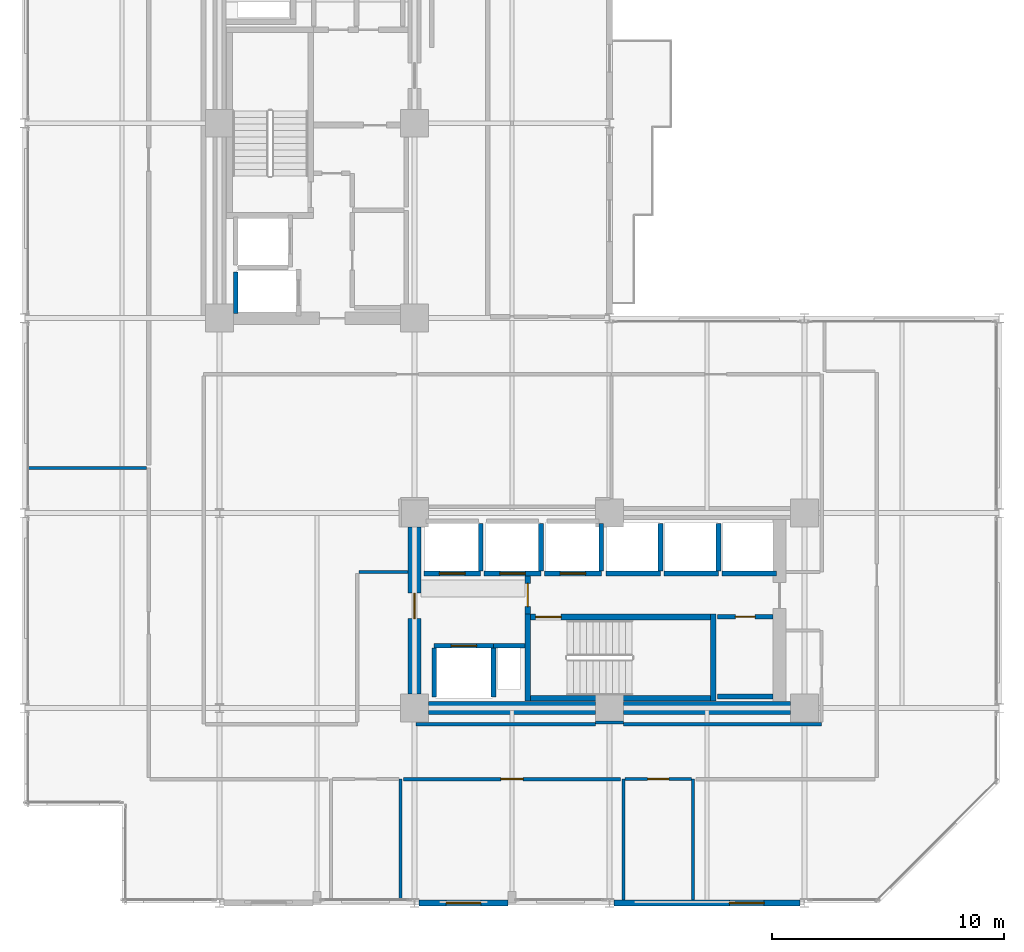
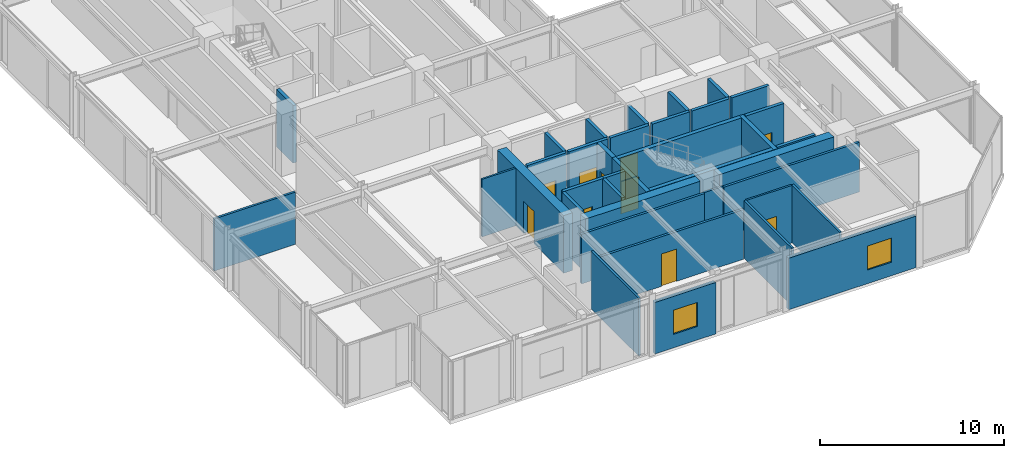
# One storey, part 24 of 29: 38 walls, 10 doors, 2 windows, 12 openings.
"""IFC4 building model written with IfcOpenShell, lengths in metres."""

from ifc_helpers import new_model, si_unit, direction, frame, frame_2d, origin, place, context, subcontext, project, spatial, rectangle, extrude, material, layer, layer_set, type_object, element, fill, save


model = new_model("IFC4")

# Units and contexts
model_context = context("Model", 3, precision=1e-05, world=origin(), true_north=direction((0.0, 1.0)))
body_context = subcontext(model_context, "Body", "Model", "MODEL_VIEW")
ifc_project = project(units=[si_unit("LENGTHUNIT", "METRE"), si_unit("AREAUNIT", "SQUARE_METRE"), si_unit("VOLUMEUNIT", "CUBIC_METRE"), si_unit("PLANEANGLEUNIT", "RADIAN"), si_unit("MASSUNIT", "GRAM", prefix="KILO")], contexts=[model_context])

# Site, building, storey
site_placement = place(None, origin())
site = spatial("IfcSite", under=ifc_project, at=site_placement, CompositionType="ELEMENT")
building_placement = place(site_placement, origin())
building = spatial("IfcBuilding", under=site, at=building_placement, Name="Nerrivon Quay Data Exchange", CompositionType="ELEMENT")
storey_placement = place(building_placement, frame((0.0, 0.0, 125.39990234375)))
storey = spatial("IfcBuildingStorey", under=building, at=storey_placement, Name="L29", CompositionType="ELEMENT", Elevation=125.39990234375)

# Wall, opening, window
ifc_material_1 = material(Name="Architectural terracotta precast concrete N50 (50 MPa)", Category="masonry")
ifc_layer_1 = layer(ifc_material_1, 0.239990234375)
ifc_layer_set_1 = layer_set([ifc_layer_1], Name="Architectural terracotta precast concrete N50 (50 MPa)")
wall_type_1 = type_object("IfcWallType", Name="EW-PREC-240", PredefinedType="STANDARD", material=ifc_layer_set_1)
wall_1_placement = place(storey_placement, frame((33.39990234375, 0.0, 0.0), z_axis=(0.0, 0.0, 1.0), x_axis=(-1.0, 0.0, 0.0)))
wall_1 = element("IfcWall", 1, at=wall_1_placement, inside=storey, type_object=wall_type_1, Name="L29 Podium Precast Spandrel Wall 3", PredefinedType="STANDARD", context=body_context, shape_type="SweptSolid", body=[
    extrude(rectangle(XDim=8.0, YDim=0.239990234375, at=frame_2d((4.0, 0.0))), origin(), (0.0, 0.0, 1.0), 3.422119140625),
])
opening_1_placement = place(wall_1_placement, frame((1.534912109375, 0.0, 0.89990234375)))
opening_1 = element("IfcOpeningElement", 2, at=opening_1_placement, cuts=wall_1, Name="Opening WN4", PredefinedType="OPENING", context=body_context, shape_type="SweptSolid", body=[
    extrude(rectangle(XDim=1.5, YDim=1.60009765625, at=frame_2d((0.75, 0.800048828125))), frame((0.0, 0.1298828125, 0.0), z_axis=(0.0, -1.0, 0.0), x_axis=(1.0, 0.0, 0.0)), (0.0, 0.0, 1.0), 0.260009765625),
])
ifc_material_2 = material(Name="Double-glazed low-E solar control glass", Category="glass")
window_type = type_object("IfcWindowType", Name="WIN-W4-1500x1600", PartitioningType="SINGLE_PANEL", PredefinedType="WINDOW", material=ifc_material_2)
window_1_placement = place(opening_1_placement, origin())
window_1 = element("IfcWindow", 3, at=window_1_placement, inside=storey, type_object=window_type, Name="L29 Solar Facade Window 3", OverallHeight=1.60009765625, OverallWidth=1.5, PartitioningType="SINGLE_PANEL", PredefinedType="WINDOW", context=body_context, shape_type="SweptSolid", body=[
    extrude(rectangle(XDim=1.5, YDim=1.60009765625, at=frame_2d((0.75, 0.800048828125))), frame((0.0, 0.030029296875, 0.0), z_axis=(0.0, -1.0, 0.0), x_axis=(1.0, 0.0, 0.0)), (0.0, 0.0, 1.0), 0.06005859375),
])
fill(opening_1, window_1)

wall_2_placement = place(storey_placement, frame((20.824951171875, 0.0, 0.0), z_axis=(0.0, 0.0, 1.0), x_axis=(-1.0, 0.0, 0.0)))
wall_2 = element("IfcWall", 4, at=wall_2_placement, inside=storey, type_object=wall_type_1, Name="L29 Podium Precast Spandrel Wall 5", PredefinedType="STANDARD", context=body_context, shape_type="SweptSolid", body=[
    extrude(rectangle(XDim=3.824951171875, YDim=0.239990234375, at=frame_2d((1.91259765625, 0.0))), origin(), (0.0, 0.0, 1.0), 3.422119140625),
])
opening_2_placement = place(wall_2_placement, frame((1.16259765625, 0.0, 0.89990234375)))
opening_2 = element("IfcOpeningElement", 5, at=opening_2_placement, cuts=wall_2, Name="Opening WN4", PredefinedType="OPENING", context=body_context, shape_type="SweptSolid", body=[
    extrude(rectangle(XDim=1.5, YDim=1.60009765625, at=frame_2d((0.75, 0.800048828125))), frame((0.0, 0.1298828125, 0.0), z_axis=(0.0, -1.0, 0.0), x_axis=(1.0, 0.0, 0.0)), (0.0, 0.0, 1.0), 0.260009765625),
])
window_2_placement = place(opening_2_placement, origin())
window_2 = element("IfcWindow", 6, at=window_2_placement, inside=storey, type_object=window_type, Name="L29 Solar Facade Window 5", OverallHeight=1.60009765625, OverallWidth=1.5, PartitioningType="SINGLE_PANEL", PredefinedType="WINDOW", context=body_context, shape_type="SweptSolid", body=[
    extrude(rectangle(XDim=1.5, YDim=1.60009765625, at=frame_2d((0.75, 0.800048828125))), frame((0.0, 0.030029296875, 0.0), z_axis=(0.0, -1.0, 0.0), x_axis=(1.0, 0.0, 0.0)), (0.0, 0.0, 1.0), 0.06005859375),
])
fill(opening_2, window_2)

# Walls
ifc_material_3 = material(Name="Concrete S65 (65 MPa)", Category="concrete")
ifc_layer_2 = layer(ifc_material_3, 0.550048828125)
ifc_layer_set_2 = layer_set([ifc_layer_2], Name="Concrete S65 (65 MPa)")
wall_type_2 = type_object("IfcWallType", Name="WALL-CW-700", PredefinedType="SHEAR", material=ifc_layer_set_2)
wall_3_placement = place(storey_placement, frame((17.39990234375, 8.39990234375, 0.0), z_axis=(0.0, 0.0, 1.0), x_axis=(1.0, 0.0, 0.0)))
element("IfcWall", 7, at=wall_3_placement, inside=storey, type_object=wall_type_2, Name="L29 East Split-Core Shear Wall ECW-S1", PredefinedType="SHEAR", context=body_context, shape_type="SweptSolid", body=[
    extrude(rectangle(XDim=7.2001953125, YDim=0.550048828125, at=frame_2d((3.60009765625, 0.0))), origin(), (0.0, 0.0, 1.0), 3.8251953125),
])
wall_4_placement = place(storey_placement, frame((25.800048828125, 8.39990234375, 0.0), z_axis=(0.0, 0.0, 1.0), x_axis=(1.0, 0.0, 0.0)))
element("IfcWall", 8, at=wall_4_placement, inside=storey, type_object=wall_type_2, Name="L29 East Split-Core Shear Wall ECW-S2", PredefinedType="SHEAR", context=body_context, shape_type="SweptSolid", body=[
    extrude(rectangle(XDim=7.199951171875, YDim=0.550048828125, at=frame_2d((3.60009765625, 0.0))), origin(), (0.0, 0.0, 1.0), 3.8251953125),
])

# Wall, opening, door
wall_5_placement = place(storey_placement, frame((16.800048828125, 9.0, 0.0), z_axis=(0.0, 0.0, 1.0), x_axis=(0.0, 1.0, 0.0)))
wall_5 = element("IfcWall", 9, at=wall_5_placement, inside=storey, type_object=wall_type_2, Name="L29 East Split-Core Shear Wall ECW-W1", PredefinedType="SHEAR", context=body_context, shape_type="SweptSolid", body=[
    extrude(rectangle(XDim=7.199951171875, YDim=0.550048828125, at=frame_2d((3.60009765625, 0.0))), origin(), (0.0, 0.0, 1.0), 3.8251953125),
])
opening_3_placement = place(wall_5_placement, frame((3.25, 0.0, 0.0)))
opening_3 = element("IfcOpeningElement", 10, at=opening_3_placement, cuts=wall_5, Name="Opening FD-120", PredefinedType="OPENING", context=body_context, shape_type="SweptSolid", body=[
    extrude(rectangle(XDim=1.10009765625, YDim=2.14990234375, at=frame_2d((0.550048828125, 1.074951171875))), frame((0.0, 0.284912109375, 0.0), z_axis=(0.0, -1.0, 0.0), x_axis=(1.0, 0.0, 0.0)), (0.0, 0.0, 1.0), 0.570068359375),
])
ifc_material_4 = material(Name="Powder-coated galvanized steel sheet", Category="steel")
door_type_1 = type_object("IfcDoorType", Name="DR-FD120-1100", OperationType="NOTDEFINED", PredefinedType="DOOR", material=ifc_material_4)
door_1_placement = place(opening_3_placement, origin())
door_1 = element("IfcDoor", 11, at=door_1_placement, inside=storey, type_object=door_type_1, Name="L29 East Core Lobby Fire Door", OperationType="SINGLE_SWING_LEFT", OverallHeight=2.14990234375, OverallWidth=1.10009765625, PredefinedType="DOOR", context=body_context, shape_type="SweptSolid", body=[
    extrude(rectangle(XDim=1.10009765625, YDim=2.14990234375, at=frame_2d((0.550048828125, 1.074951171875))), frame((0.0, 0.02490234375, 0.0), z_axis=(0.0, -1.0, 0.0), x_axis=(1.0, 0.0, 0.0)), (0.0, 0.0, 1.0), 0.050048828125),
])
fill(opening_3, door_1)

# Walls
ifc_material_5 = material(Name="Gypsum plasterboard on cold-formed framing", Category="gypsum")
ifc_layer_3 = layer(ifc_material_5, 0.199951171875)
ifc_layer_set_3 = layer_set([ifc_layer_3], Name="Gypsum plasterboard on cold-formed framing")
wall_type_3 = type_object("IfcWallType", Name="WALL-FW-200", PredefinedType="PARTITIONING", material=ifc_layer_set_3)
wall_6_placement = place(storey_placement, frame((20.199951171875, 11.080078125, 0.0), z_axis=(0.0, 0.0, 1.0), x_axis=(1.0, 0.0, 0.0)))
element("IfcWall", 12, at=wall_6_placement, inside=storey, type_object=wall_type_3, Name="L29 East Core MEP Riser Shaft Wall N", PredefinedType="PARTITIONING", context=body_context, shape_type="SweptSolid", body=[
    extrude(rectangle(XDim=1.35009765625, YDim=0.199951171875, at=frame_2d((0.675048828125, 0.0))), origin(), (0.0, 0.0, 1.0), 3.8251953125),
])
wall_7_placement = place(storey_placement, frame((9.10009765625, 25.39990234375, 0.0), z_axis=(0.0, 0.0, 1.0), x_axis=(0.0, 1.0, 0.0)))
element("IfcWall", 13, at=wall_7_placement, inside=storey, type_object=wall_type_3, Name="L29 Lift Shaft Wall SVL-1 WEST", PredefinedType="PARTITIONING", context=body_context, shape_type="SweptSolid", body=[
    extrude(rectangle(XDim=1.800048828125, YDim=0.199951171875, at=frame_2d((0.89990234375, 0.0))), origin(), (0.0, 0.0, 1.0), 3.8251953125),
])

# Wall, opening, door
wall_8_placement = place(storey_placement, frame((17.64990234375, 11.080078125, 0.0), z_axis=(0.0, 0.0, 1.0), x_axis=(1.0, 0.0, 0.0)))
wall_8 = element("IfcWall", 14, at=wall_8_placement, inside=storey, type_object=wall_type_3, Name="L29 Lift Front Wall FFL-2", PredefinedType="PARTITIONING", context=body_context, shape_type="SweptSolid", body=[
    extrude(rectangle(XDim=2.550048828125, YDim=0.199951171875, at=frame_2d((1.27490234375, 0.0))), origin(), (0.0, 0.0, 1.0), 3.8251953125),
])
opening_4_placement = place(wall_8_placement, frame((0.72509765625, 0.0, 0.0)))
opening_4 = element("IfcOpeningElement", 15, at=opening_4_placement, cuts=wall_8, Name="Opening LD-120", PredefinedType="OPENING", context=body_context, shape_type="SweptSolid", body=[
    extrude(rectangle(XDim=1.10009765625, YDim=2.199951171875, at=frame_2d((0.550048828125, 1.10009765625))), frame((0.0, 0.10986328125, 0.0), z_axis=(0.0, -1.0, 0.0), x_axis=(1.0, 0.0, 0.0)), (0.0, 0.0, 1.0), 0.219970703125),
])
door_type_2 = type_object("IfcDoorType", Name="DR-LIFT-LD120", OperationType="DOUBLE_DOOR_SLIDING", PredefinedType="DOOR", material=ifc_material_4)
door_2_placement = place(opening_4_placement, origin())
door_2 = element("IfcDoor", 16, at=door_2_placement, inside=storey, type_object=door_type_2, Name="L29 Lift Landing Sliding Door FFL-2", OperationType="DOUBLE_DOOR_SLIDING", OverallHeight=2.199951171875, OverallWidth=1.10009765625, PredefinedType="DOOR", context=body_context, shape_type="SweptSolid", body=[
    extrude(rectangle(XDim=1.10009765625, YDim=2.199951171875, at=frame_2d((0.550048828125, 1.10009765625))), frame((0.0, 0.02490234375, 0.0), z_axis=(0.0, -1.0, 0.0), x_axis=(1.0, 0.0, 0.0)), (0.0, 0.0, 1.0), 0.050048828125),
])
fill(opening_4, door_2)

# Walls
for number, where, z_axis, x_axis, name in (
    (17, (20.199951171875, 8.8798828125, 0.0), (0.0, 0.0, 1.0), (0.0, 1.0, 0.0), "L29 Lift Shaft Wall FFL-2 EAST"),
    (18, (17.64990234375, 8.8798828125, 0.0), (0.0, 0.0, 1.0), (0.0, 1.0, 0.0), "L29 Lift Shaft Wall FFL-2 WEST"),
):
    element("IfcWall", number, at=place(storey_placement, frame(where, z_axis=z_axis, x_axis=x_axis)), inside=storey, type_object=wall_type_3, Name=name, PredefinedType="PARTITIONING", context=body_context, shape_type="SweptSolid", body=[
        extrude(rectangle(XDim=2.10009765625, YDim=0.199951171875, at=frame_2d((1.050048828125, 0.0))), origin(), (0.0, 0.0, 1.0), 3.8251953125),
    ])

# Wall, opening, door
wall_9_placement = place(storey_placement, frame((17.199951171875, 14.199951171875, 0.0), z_axis=(0.0, 0.0, 1.0), x_axis=(1.0, 0.0, 0.0)))
wall_9 = element("IfcWall", 19, at=wall_9_placement, inside=storey, type_object=wall_type_3, Name="L29 Lift Front Wall PL4", PredefinedType="PARTITIONING", context=body_context, shape_type="SweptSolid", body=[
    extrude(rectangle(XDim=2.449951171875, YDim=0.199951171875, at=frame_2d((1.22509765625, 0.0))), origin(), (0.0, 0.0, 1.0), 3.8251953125),
])
opening_5_placement = place(wall_9_placement, frame((0.675048828125, 0.0, 0.0)))
opening_5 = element("IfcOpeningElement", 20, at=opening_5_placement, cuts=wall_9, Name="Opening LD-120", PredefinedType="OPENING", context=body_context, shape_type="SweptSolid", body=[
    extrude(rectangle(XDim=1.10009765625, YDim=2.199951171875, at=frame_2d((0.550048828125, 1.10009765625))), frame((0.0, 0.10986328125, 0.0), z_axis=(0.0, -1.0, 0.0), x_axis=(1.0, 0.0, 0.0)), (0.0, 0.0, 1.0), 0.219970703125),
])
door_3_placement = place(opening_5_placement, origin())
door_3 = element("IfcDoor", 21, at=door_3_placement, inside=storey, type_object=door_type_2, Name="L29 Lift Landing Sliding Door PL4", OperationType="DOUBLE_DOOR_SLIDING", OverallHeight=2.199951171875, OverallWidth=1.10009765625, PredefinedType="DOOR", context=body_context, shape_type="SweptSolid", body=[
    extrude(rectangle(XDim=1.10009765625, YDim=2.199951171875, at=frame_2d((0.550048828125, 1.10009765625))), frame((0.0, 0.02490234375, 0.0), z_axis=(0.0, -1.0, 0.0), x_axis=(1.0, 0.0, 0.0)), (0.0, 0.0, 1.0), 0.050048828125),
])
fill(opening_5, door_3)

# Wall
wall_10_placement = place(storey_placement, frame((19.64990234375, 14.300048828125, 0.0), z_axis=(0.0, 0.0, 1.0), x_axis=(0.0, 1.0, 0.0)))
element("IfcWall", 22, at=wall_10_placement, inside=storey, type_object=wall_type_3, Name="L29 Lift Shaft Wall PL4 EAST", PredefinedType="PARTITIONING", context=body_context, shape_type="SweptSolid", body=[
    extrude(rectangle(XDim=2.050048828125, YDim=0.199951171875, at=frame_2d((1.02490234375, 0.0))), origin(), (0.0, 0.0, 1.0), 3.8251953125),
])

# Wall, opening, door
wall_11_placement = place(storey_placement, frame((19.800048828125, 14.199951171875, 0.0), z_axis=(0.0, 0.0, 1.0), x_axis=(1.0, 0.0, 0.0)))
wall_11 = element("IfcWall", 23, at=wall_11_placement, inside=storey, type_object=wall_type_3, Name="L29 Lift Front Wall PL5", PredefinedType="PARTITIONING", context=body_context, shape_type="SweptSolid", body=[
    extrude(rectangle(XDim=2.449951171875, YDim=0.199951171875, at=frame_2d((1.22509765625, 0.0))), origin(), (0.0, 0.0, 1.0), 3.8251953125),
])
opening_6_placement = place(wall_11_placement, frame((0.675048828125, 0.0, 0.0)))
opening_6 = element("IfcOpeningElement", 24, at=opening_6_placement, cuts=wall_11, Name="Opening LD-120", PredefinedType="OPENING", context=body_context, shape_type="SweptSolid", body=[
    extrude(rectangle(XDim=1.10009765625, YDim=2.199951171875, at=frame_2d((0.550048828125, 1.10009765625))), frame((0.0, 0.10986328125, 0.0), z_axis=(0.0, -1.0, 0.0), x_axis=(1.0, 0.0, 0.0)), (0.0, 0.0, 1.0), 0.219970703125),
])
door_4_placement = place(opening_6_placement, origin())
door_4 = element("IfcDoor", 25, at=door_4_placement, inside=storey, type_object=door_type_2, Name="L29 Lift Landing Sliding Door PL5", OperationType="DOUBLE_DOOR_SLIDING", OverallHeight=2.199951171875, OverallWidth=1.10009765625, PredefinedType="DOOR", context=body_context, shape_type="SweptSolid", body=[
    extrude(rectangle(XDim=1.10009765625, YDim=2.199951171875, at=frame_2d((0.550048828125, 1.10009765625))), frame((0.0, 0.02490234375, 0.0), z_axis=(0.0, -1.0, 0.0), x_axis=(1.0, 0.0, 0.0)), (0.0, 0.0, 1.0), 0.050048828125),
])
fill(opening_6, door_4)

# Wall
wall_12_placement = place(storey_placement, frame((22.25, 14.300048828125, 0.0), z_axis=(0.0, 0.0, 1.0), x_axis=(0.0, 1.0, 0.0)))
element("IfcWall", 26, at=wall_12_placement, inside=storey, type_object=wall_type_3, Name="L29 Lift Shaft Wall PL5 EAST", PredefinedType="PARTITIONING", context=body_context, shape_type="SweptSolid", body=[
    extrude(rectangle(XDim=2.050048828125, YDim=0.199951171875, at=frame_2d((1.02490234375, 0.0))), origin(), (0.0, 0.0, 1.0), 3.8251953125),
])

# Wall, opening, door
wall_13_placement = place(storey_placement, frame((22.39990234375, 14.199951171875, 0.0), z_axis=(0.0, 0.0, 1.0), x_axis=(1.0, 0.0, 0.0)))
wall_13 = element("IfcWall", 27, at=wall_13_placement, inside=storey, type_object=wall_type_3, Name="L29 Lift Front Wall PL6", PredefinedType="PARTITIONING", context=body_context, shape_type="SweptSolid", body=[
    extrude(rectangle(XDim=2.4501953125, YDim=0.199951171875, at=frame_2d((1.22509765625, 0.0))), origin(), (0.0, 0.0, 1.0), 3.8251953125),
])
opening_7_placement = place(wall_13_placement, frame((0.675048828125, 0.0, 0.0)))
opening_7 = element("IfcOpeningElement", 28, at=opening_7_placement, cuts=wall_13, Name="Opening LD-120", PredefinedType="OPENING", context=body_context, shape_type="SweptSolid", body=[
    extrude(rectangle(XDim=1.10009765625, YDim=2.199951171875, at=frame_2d((0.550048828125, 1.10009765625))), frame((0.0, 0.10986328125, 0.0), z_axis=(0.0, -1.0, 0.0), x_axis=(1.0, 0.0, 0.0)), (0.0, 0.0, 1.0), 0.219970703125),
])
door_5_placement = place(opening_7_placement, origin())
door_5 = element("IfcDoor", 29, at=door_5_placement, inside=storey, type_object=door_type_2, Name="L29 Lift Landing Sliding Door PL6", OperationType="DOUBLE_DOOR_SLIDING", OverallHeight=2.199951171875, OverallWidth=1.10009765625, PredefinedType="DOOR", context=body_context, shape_type="SweptSolid", body=[
    extrude(rectangle(XDim=1.10009765625, YDim=2.199951171875, at=frame_2d((0.550048828125, 1.10009765625))), frame((0.0, 0.02490234375, 0.0), z_axis=(0.0, -1.0, 0.0), x_axis=(1.0, 0.0, 0.0)), (0.0, 0.0, 1.0), 0.050048828125),
])
fill(opening_7, door_5)

# Walls
wall_14_placement = place(storey_placement, frame((24.85009765625, 14.300048828125, 0.0), z_axis=(0.0, 0.0, 1.0), x_axis=(0.0, 1.0, 0.0)))
element("IfcWall", 30, at=wall_14_placement, inside=storey, type_object=wall_type_3, Name="L29 Lift Shaft Wall PL6 EAST", PredefinedType="PARTITIONING", context=body_context, shape_type="SweptSolid", body=[
    extrude(rectangle(XDim=2.050048828125, YDim=0.199951171875, at=frame_2d((1.02490234375, 0.0))), origin(), (0.0, 0.0, 1.0), 3.8251953125),
])
wall_15_placement = place(storey_placement, frame((25.050048828125, 14.199951171875, 0.0), z_axis=(0.0, 0.0, 1.0), x_axis=(1.0, 0.0, 0.0)))
element("IfcWall", 31, at=wall_15_placement, inside=storey, type_object=wall_type_3, Name="L29 Lift Front Wall PL7", PredefinedType="PARTITIONING", context=body_context, shape_type="SweptSolid", body=[
    extrude(rectangle(XDim=2.349853515625, YDim=0.199951171875, at=frame_2d((1.1748046875, 0.0))), origin(), (0.0, 0.0, 1.0), 3.8251953125),
])
wall_16_placement = place(storey_placement, frame((27.39990234375, 14.300048828125, 0.0), z_axis=(0.0, 0.0, 1.0), x_axis=(0.0, 1.0, 0.0)))
element("IfcWall", 32, at=wall_16_placement, inside=storey, type_object=wall_type_3, Name="L29 Lift Shaft Wall PL7 EAST", PredefinedType="PARTITIONING", context=body_context, shape_type="SweptSolid", body=[
    extrude(rectangle(XDim=2.050048828125, YDim=0.199951171875, at=frame_2d((1.02490234375, 0.0))), origin(), (0.0, 0.0, 1.0), 3.8251953125),
])
wall_17_placement = place(storey_placement, frame((27.550048828125, 14.199951171875, 0.0), z_axis=(0.0, 0.0, 1.0), x_axis=(1.0, 0.0, 0.0)))
element("IfcWall", 33, at=wall_17_placement, inside=storey, type_object=wall_type_3, Name="L29 Lift Front Wall PL8", PredefinedType="PARTITIONING", context=body_context, shape_type="SweptSolid", body=[
    extrude(rectangle(XDim=2.349853515625, YDim=0.199951171875, at=frame_2d((1.1748046875, 0.0))), origin(), (0.0, 0.0, 1.0), 3.8251953125),
])
wall_18_placement = place(storey_placement, frame((29.89990234375, 14.300048828125, 0.0), z_axis=(0.0, 0.0, 1.0), x_axis=(0.0, 1.0, 0.0)))
element("IfcWall", 34, at=wall_18_placement, inside=storey, type_object=wall_type_3, Name="L29 Lift Shaft Wall PL8 EAST", PredefinedType="PARTITIONING", context=body_context, shape_type="SweptSolid", body=[
    extrude(rectangle(XDim=2.050048828125, YDim=0.199951171875, at=frame_2d((1.02490234375, 0.0))), origin(), (0.0, 0.0, 1.0), 3.8251953125),
])
wall_19_placement = place(storey_placement, frame((30.050048828125, 14.199951171875, 0.0), z_axis=(0.0, 0.0, 1.0), x_axis=(1.0, 0.0, 0.0)))
element("IfcWall", 35, at=wall_19_placement, inside=storey, type_object=wall_type_3, Name="L29 Lift Front Wall PL9", PredefinedType="PARTITIONING", context=body_context, shape_type="SweptSolid", body=[
    extrude(rectangle(XDim=2.349853515625, YDim=0.199951171875, at=frame_2d((1.1748046875, 0.0))), origin(), (0.0, 0.0, 1.0), 3.8251953125),
])

# Wall, opening, door
wall_20_placement = place(storey_placement, frame((32.24609375, 12.330078125, 0.0), z_axis=(0.0, 0.0, 1.0), x_axis=(-1.0, 0.0, 0.0)))
wall_20 = element("IfcWall", 36, at=wall_20_placement, inside=storey, type_object=wall_type_3, Name="L29 Partition East Supply Store", PredefinedType="PARTITIONING", context=body_context, shape_type="SweptSolid", body=[
    extrude(rectangle(XDim=2.39599609375, YDim=0.199951171875, at=frame_2d((1.197998046875, 0.0))), origin(), (0.0, 0.0, 1.0), 3.8251953125),
])
opening_8_placement = place(wall_20_placement, frame((0.77294921875, 0.0, 0.0)))
opening_8 = element("IfcOpeningElement", 37, at=opening_8_placement, cuts=wall_20, Name="Opening FD-60S", PredefinedType="OPENING", context=body_context, shape_type="SweptSolid", body=[
    extrude(rectangle(XDim=0.85009765625, YDim=2.14990234375, at=frame_2d((0.425048828125, 1.074951171875))), frame((0.0, 0.10986328125, 0.0), z_axis=(0.0, -1.0, 0.0), x_axis=(1.0, 0.0, 0.0)), (0.0, 0.0, 1.0), 0.219970703125),
])
ifc_material_6 = material(Name="Engineered hardwood timber", Category="wood")
door_type_3 = type_object("IfcDoorType", Name="DR-FD60-850", OperationType="NOTDEFINED", PredefinedType="DOOR", material=ifc_material_6)
door_6_placement = place(opening_8_placement, origin())
door_6 = element("IfcDoor", 38, at=door_6_placement, inside=storey, type_object=door_type_3, Name="L29 Door East Supply Store", OperationType="SINGLE_SWING_RIGHT", OverallHeight=2.14990234375, OverallWidth=0.85009765625, PredefinedType="DOOR", context=body_context, shape_type="SweptSolid", body=[
    extrude(rectangle(XDim=0.85009765625, YDim=2.14990234375, at=frame_2d((0.425048828125, 1.074951171875))), frame((0.0, 0.02490234375, 0.0), z_axis=(0.0, -1.0, 0.0), x_axis=(1.0, 0.0, 0.0)), (0.0, 0.0, 1.0), 0.050048828125),
])
fill(opening_8, door_6)

# Wall
wall_21_placement = place(storey_placement, frame((29.85009765625, 8.89990234375, 0.0), z_axis=(0.0, 0.0, 1.0), x_axis=(1.0, 0.0, 0.0)))
element("IfcWall", 39, at=wall_21_placement, inside=storey, type_object=wall_type_3, Name="L29 Partition East Supply Store", PredefinedType="PARTITIONING", context=body_context, shape_type="SweptSolid", body=[
    extrude(rectangle(XDim=2.39599609375, YDim=0.199951171875, at=frame_2d((1.197998046875, 0.0))), origin(), (0.0, 0.0, 1.0), 3.8251953125),
])

# Wall, opening, door
ifc_layer_4 = layer(ifc_material_5, 0.1201171875)
ifc_layer_set_4 = layer_set([ifc_layer_4], Name="Gypsum plasterboard on cold-formed framing")
wall_type_4 = type_object("IfcWallType", Name="WALL-PT-120", PredefinedType="PARTITIONING", material=ifc_layer_set_4)
wall_22_placement = place(storey_placement, frame((28.728515625, 5.340087890625, 0.0), z_axis=(0.0, 0.0, 1.0), x_axis=(-1.0, 0.0, 0.0)))
wall_22 = element("IfcWall", 40, at=wall_22_placement, inside=storey, type_object=wall_type_4, Name="L29 Partition Public Washrooms", PredefinedType="PARTITIONING", context=body_context, shape_type="SweptSolid", body=[
    extrude(rectangle(XDim=2.85693359375, YDim=0.1201171875, at=frame_2d((1.428466796875, 0.0))), origin(), (0.0, 0.0, 1.0), 3.8251953125),
])
opening_9_placement = place(wall_22_placement, frame((0.968505859375, 0.0, 0.0)))
opening_9 = element("IfcOpeningElement", 41, at=opening_9_placement, cuts=wall_22, Name="Opening D-WC", PredefinedType="OPENING", context=body_context, shape_type="SweptSolid", body=[
    extrude(rectangle(XDim=0.919921875, YDim=2.10009765625, at=frame_2d((0.4599609375, 1.050048828125))), frame((0.0, 0.070068359375, 0.0), z_axis=(0.0, -1.0, 0.0), x_axis=(1.0, 0.0, 0.0)), (0.0, 0.0, 1.0), 0.14013671875),
])
door_type_4 = type_object("IfcDoorType", Name="DR-WC-920", OperationType="NOTDEFINED", PredefinedType="DOOR", material=ifc_material_6)
door_7_placement = place(opening_9_placement, origin())
door_7 = element("IfcDoor", 42, at=door_7_placement, inside=storey, type_object=door_type_4, Name="L29 Door Public Washrooms", OperationType="SINGLE_SWING_RIGHT", OverallHeight=2.10009765625, OverallWidth=0.919921875, PredefinedType="DOOR", context=body_context, shape_type="SweptSolid", body=[
    extrude(rectangle(XDim=0.919921875, YDim=2.10009765625, at=frame_2d((0.4599609375, 1.050048828125))), frame((0.0, 0.02490234375, 0.0), z_axis=(0.0, -1.0, 0.0), x_axis=(1.0, 0.0, 0.0)), (0.0, 0.0, 1.0), 0.050048828125),
])
fill(opening_9, door_7)

# Walls
wall_23_placement = place(storey_placement, frame((25.805908203125, 7.781005859375, 0.0), z_axis=(0.0, 0.0, 1.0), x_axis=(-0.999999672047, -0.000809880277, 0.0)))
element("IfcWall", 43, at=wall_23_placement, inside=storey, type_object=wall_type_4, Name="L29 Partition Staff Pantry", PredefinedType="PARTITIONING", context=body_context, shape_type="SweptSolid", body=[
    extrude(rectangle(XDim=1.205810546875, YDim=0.1201171875, at=frame_2d((0.60302734375, 0.0))), origin(), (0.0, 0.0, 1.0), 3.297119140625),
])
wall_24_placement = place(storey_placement, frame((14.39990234375, 14.260009765625, 0.0), z_axis=(0.0, 0.0, 1.0), x_axis=(1.0, 0.0, 0.0)))
element("IfcWall", 44, at=wall_24_placement, inside=storey, type_object=wall_type_4, Name="L29 Partition Staff Bistro", PredefinedType="PARTITIONING", context=body_context, shape_type="SweptSolid", body=[
    extrude(rectangle(XDim=2.12109375, YDim=0.1201171875, at=frame_2d((1.060546875, 0.0))), origin(), (0.0, 0.0, 1.0), 3.8251953125),
])
ifc_layer_5 = layer(ifc_material_5, 0.135009765625)
ifc_layer_set_5 = layer_set([ifc_layer_5], Name="Gypsum plasterboard on cold-formed framing")
wall_type_5 = type_object("IfcWallType", Name="WALL-PT-135", PredefinedType="PARTITIONING", material=ifc_layer_set_5)
wall_25_placement = place(storey_placement, frame((16.199951171875, 0.1689453125, 0.0), z_axis=(0.0, 0.0, 1.0), x_axis=(0.0, 1.0, 0.0)))
element("IfcWall", 45, at=wall_25_placement, inside=storey, type_object=wall_type_5, Name="L29 Partition Accessible Toilet", PredefinedType="PARTITIONING", context=body_context, shape_type="SweptSolid", body=[
    extrude(rectangle(XDim=5.171142578125, YDim=0.135009765625, at=frame_2d((2.58544921875, 0.0))), origin(), (0.0, 0.0, 1.0), 3.8251953125),
])
for number, where, z_axis, x_axis, name in (
    (46, (25.800048828125, 5.340087890625, 0.0), (0.0, 0.0, 1.0), (0.0, -1.0, 0.0), "L29 Partition Public Washrooms"),
    (47, (28.800048828125, 0.1240234375, 0.0), (0.0, 0.0, 1.0), (0.0, 1.0, 0.0), "L29 Partition Public Washrooms"),
):
    element("IfcWall", number, at=place(storey_placement, frame(where, z_axis=z_axis, x_axis=x_axis)), inside=storey, type_object=wall_type_5, Name=name, PredefinedType="PARTITIONING", context=body_context, shape_type="SweptSolid", body=[
        extrude(rectangle(XDim=5.216064453125, YDim=0.135009765625, at=frame_2d((2.60791015625, 0.0))), origin(), (0.0, 0.0, 1.0), 3.8251953125),
    ])
wall_26_placement = place(storey_placement, frame((5.260986328125, 18.747314453125, 0.0), z_axis=(0.0, 0.0, 1.0), x_axis=(-1.0, 0.0, 0.0)))
element("IfcWall", 48, at=wall_26_placement, inside=storey, type_object=wall_type_5, Name="L29 Partition Quiet Reading Room", PredefinedType="PARTITIONING", context=body_context, shape_type="SweptSolid", body=[
    extrude(rectangle(XDim=5.092041015625, YDim=0.135009765625, at=frame_2d((2.5458984375, 0.0))), origin(), (0.0, 0.0, 1.0), 3.468994140625),
])
ifc_layer_6 = layer(ifc_material_5, 0.14990234375)
ifc_layer_set_6 = layer_set([ifc_layer_6], Name="Gypsum plasterboard on cold-formed framing")
wall_type_6 = type_object("IfcWallType", Name="WALL-PT-150", PredefinedType="PARTITIONING", material=ifc_layer_set_6)
wall_27_placement = place(storey_placement, frame((16.860107421875, 7.7099609375, 0.0), z_axis=(0.0, 0.0, 1.0), x_axis=(1.0, 0.0, 0.0)))
element("IfcWall", 49, at=wall_27_placement, inside=storey, type_object=wall_type_6, Name="L29 Partition Staff Pantry", PredefinedType="PARTITIONING", context=body_context, shape_type="SweptSolid", body=[
    extrude(rectangle(XDim=7.739990234375, YDim=0.14990234375, at=frame_2d((3.8701171875, 0.0))), origin(), (0.0, 0.0, 1.0), 3.297119140625),
])
wall_28_placement = place(storey_placement, frame((25.805908203125, 7.7099609375, 0.0), z_axis=(0.0, 0.0, 1.0), x_axis=(1.0, 0.0, 0.0)))
element("IfcWall", 50, at=wall_28_placement, inside=storey, type_object=wall_type_6, Name="L29 Partition Staff Pantry", PredefinedType="PARTITIONING", context=body_context, shape_type="SweptSolid", body=[
    extrude(rectangle(XDim=8.5341796875, YDim=0.14990234375, at=frame_2d((4.26708984375, 0.0))), origin(), (0.0, 0.0, 1.0), 3.297119140625),
])

# Wall, opening, door
wall_29_placement = place(storey_placement, frame((25.679931640625, 5.340087890625, 0.0), z_axis=(0.0, 0.0, 1.0), x_axis=(-1.0, 0.0, 0.0)))
wall_29 = element("IfcWall", 51, at=wall_29_placement, inside=storey, type_object=wall_type_6, Name="L29 Partition Client Conference Room 1", PredefinedType="PARTITIONING", context=body_context, shape_type="SweptSolid", body=[
    extrude(rectangle(XDim=9.35986328125, YDim=0.14990234375, at=frame_2d((4.679931640625, 0.0))), origin(), (0.0, 0.0, 1.0), 3.297119140625),
])
opening_10_placement = place(wall_29_placement, frame((4.205078125, 0.0, 0.0)))
opening_10 = element("IfcOpeningElement", 52, at=opening_10_placement, cuts=wall_29, Name="Opening D-01", PredefinedType="OPENING", context=body_context, shape_type="SweptSolid", body=[
    extrude(rectangle(XDim=0.949951171875, YDim=2.14990234375, at=frame_2d((0.47509765625, 1.074951171875))), frame((0.0, 0.0849609375, 0.0), z_axis=(0.0, -1.0, 0.0), x_axis=(1.0, 0.0, 0.0)), (0.0, 0.0, 1.0), 0.169921875),
])
door_type_5 = type_object("IfcDoorType", Name="DR-INT-950", OperationType="NOTDEFINED", PredefinedType="DOOR", material=ifc_material_6)
door_8_placement = place(opening_10_placement, origin())
door_8 = element("IfcDoor", 53, at=door_8_placement, inside=storey, type_object=door_type_5, Name="L29 Door Client Conference Room 1", OperationType="SINGLE_SWING_RIGHT", OverallHeight=2.14990234375, OverallWidth=0.949951171875, PredefinedType="DOOR", context=body_context, shape_type="SweptSolid", body=[
    extrude(rectangle(XDim=0.949951171875, YDim=2.14990234375, at=frame_2d((0.47509765625, 1.074951171875))), frame((0.0, 0.02490234375, 0.0), z_axis=(0.0, -1.0, 0.0), x_axis=(1.0, 0.0, 0.0)), (0.0, 0.0, 1.0), 0.050048828125),
])
fill(opening_10, door_8)

# Walls
ifc_material_7 = material(Name="Concrete N50 (50 MPa)", Category="concrete")
ifc_layer_7 = layer(ifc_material_7, 0.25)
ifc_layer_set_7 = layer_set([ifc_layer_7], Name="Concrete N50 (50 MPa)")
wall_type_7 = type_object("IfcWallType", Name="WALL-SW-250", PredefinedType="SHEAR", material=ifc_layer_set_7)
for number, where, z_axis, x_axis, name in (
    (54, (21.675048828125, 8.699951171875, 0.0), (0.0, 0.0, 1.0), (0.0, 1.0, 0.0), "L29 ST02 Structural Stair Core Wall NEAR"),
    (55, (29.675048828125, 8.699951171875, 0.0), (0.0, 0.0, 1.0), (0.0, 1.0, 0.0), "L29 ST02 Structural Stair Core Wall FAR"),
):
    element("IfcWall", number, at=place(storey_placement, frame(where, z_axis=z_axis, x_axis=x_axis)), inside=storey, type_object=wall_type_7, Name=name, PredefinedType="SHEAR", context=body_context, shape_type="SweptSolid", body=[
        extrude(rectangle(XDim=3.75, YDim=0.25, at=frame_2d((1.875, 0.0))), origin(), (0.0, 0.0, 1.0), 3.8251953125),
    ])
wall_30_placement = place(storey_placement, frame((21.800048828125, 8.824951171875, 0.0), z_axis=(0.0, 0.0, 1.0), x_axis=(1.0, 0.0, 0.0)))
element("IfcWall", 56, at=wall_30_placement, inside=storey, type_object=wall_type_7, Name="L29 ST02 Structural Stair Core Wall LEFT", PredefinedType="SHEAR", context=body_context, shape_type="SweptSolid", body=[
    extrude(rectangle(XDim=7.75, YDim=0.25, at=frame_2d((3.875, 0.0))), origin(), (0.0, 0.0, 1.0), 3.8251953125),
])

# Wall, opening, door
wall_31_placement = place(storey_placement, frame((21.800048828125, 12.324951171875, 0.0), z_axis=(0.0, 0.0, 1.0), x_axis=(1.0, 0.0, 0.0)))
wall_31 = element("IfcWall", 57, at=wall_31_placement, inside=storey, type_object=wall_type_7, Name="L29 ST02 Structural Stair Core Wall RIGHT", PredefinedType="SHEAR", context=body_context, shape_type="SweptSolid", body=[
    extrude(rectangle(XDim=7.75, YDim=0.25, at=frame_2d((3.875, 0.0))), origin(), (0.0, 0.0, 1.0), 3.8251953125),
])
opening_11_placement = place(wall_31_placement, frame((0.219970703125, 0.0, 0.0)))
opening_11 = element("IfcOpeningElement", 58, at=opening_11_placement, cuts=wall_31, Name="Opening FD-120", PredefinedType="OPENING", context=body_context, shape_type="SweptSolid", body=[
    extrude(rectangle(XDim=1.10009765625, YDim=2.14990234375, at=frame_2d((0.550048828125, 1.074951171875))), frame((0.0, 0.135009765625, 0.0), z_axis=(0.0, -1.0, 0.0), x_axis=(1.0, 0.0, 0.0)), (0.0, 0.0, 1.0), 0.27001953125),
])
door_9_placement = place(opening_11_placement, origin())
door_9 = element("IfcDoor", 59, at=door_9_placement, inside=storey, type_object=door_type_1, Name="L29 Protected Stair Door ST02", OperationType="SINGLE_SWING_LEFT", OverallHeight=2.14990234375, OverallWidth=1.10009765625, PredefinedType="DOOR", context=body_context, shape_type="SweptSolid", body=[
    extrude(rectangle(XDim=1.10009765625, YDim=2.14990234375, at=frame_2d((0.550048828125, 1.074951171875))), frame((0.0, 0.02490234375, 0.0), z_axis=(0.0, -1.0, 0.0), x_axis=(1.0, 0.0, 0.0)), (0.0, 0.0, 1.0), 0.050048828125),
])
fill(opening_11, door_9)

wall_32_placement = place(storey_placement, frame((21.679931640625, 12.449951171875, 0.0), z_axis=(0.0, 0.0, 1.0), x_axis=(0.0, 1.0, 0.0)))
wall_32 = element("IfcWall", 60, at=wall_32_placement, inside=storey, type_object=wall_type_7, Name="L29 East Firefighting Lobby Wall", PredefinedType="SHEAR", context=body_context, shape_type="SweptSolid", body=[
    extrude(rectangle(XDim=1.650146484375, YDim=0.25, at=frame_2d((0.8251953125, 0.0))), origin(), (0.0, 0.0, 1.0), 3.8251953125),
])
opening_12_placement = place(wall_32_placement, frame((0.324951171875, 0.0, 0.0)))
opening_12 = element("IfcOpeningElement", 61, at=opening_12_placement, cuts=wall_32, Name="Opening FD-60", PredefinedType="OPENING", context=body_context, shape_type="SweptSolid", body=[
    extrude(rectangle(XDim=1.0, YDim=2.14990234375, at=frame_2d((0.5, 1.074951171875))), frame((0.0, 0.135009765625, 0.0), z_axis=(0.0, -1.0, 0.0), x_axis=(1.0, 0.0, 0.0)), (0.0, 0.0, 1.0), 0.27001953125),
])
door_type_6 = type_object("IfcDoorType", Name="DR-FD60-1000", OperationType="NOTDEFINED", PredefinedType="DOOR", material=ifc_material_6)
door_10_placement = place(opening_12_placement, origin())
door_10 = element("IfcDoor", 62, at=door_10_placement, inside=storey, type_object=door_type_6, Name="L29 East Firefighting Lobby Fire Door", OperationType="SINGLE_SWING_LEFT", OverallHeight=2.14990234375, OverallWidth=1.0, PredefinedType="DOOR", context=body_context, shape_type="SweptSolid", body=[
    extrude(rectangle(XDim=1.0, YDim=2.14990234375, at=frame_2d((0.5, 1.074951171875))), frame((0.0, 0.02490234375, 0.0), z_axis=(0.0, -1.0, 0.0), x_axis=(1.0, 0.0, 0.0)), (0.0, 0.0, 1.0), 0.050048828125),
])
fill(opening_12, door_10)

save(model, "model.ifc")
